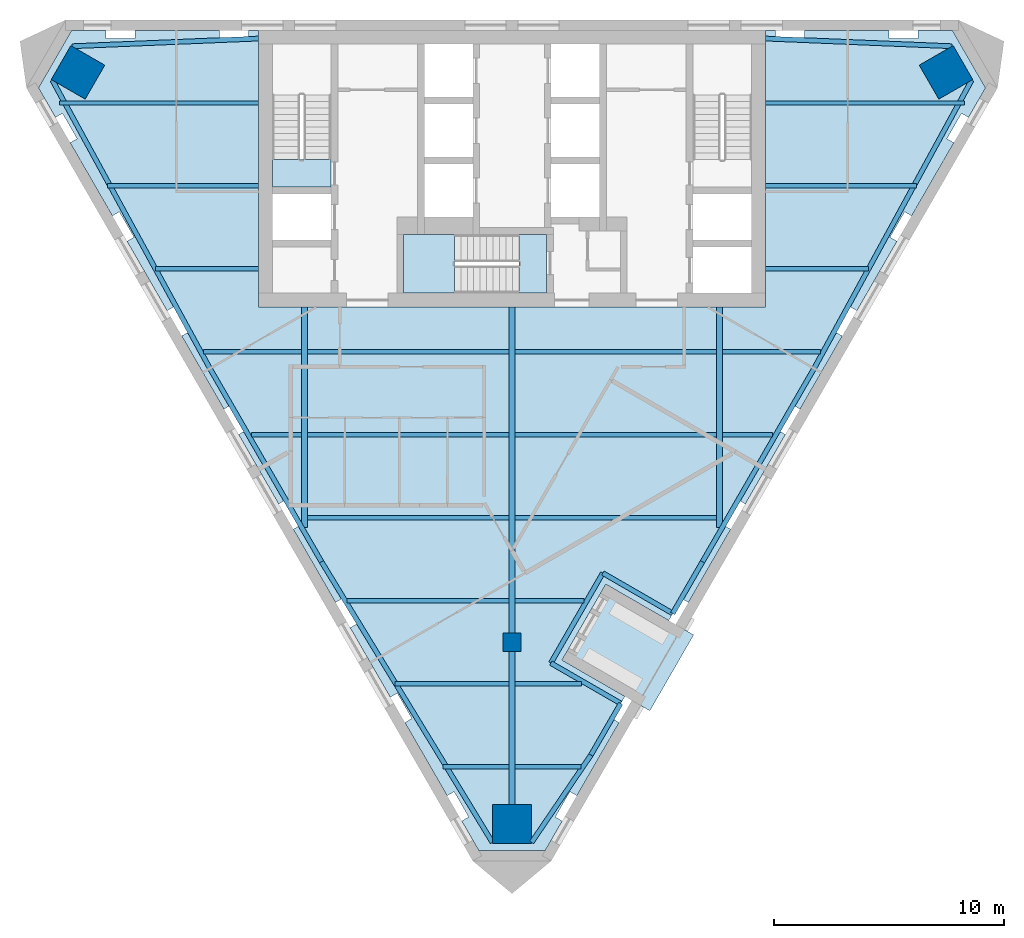
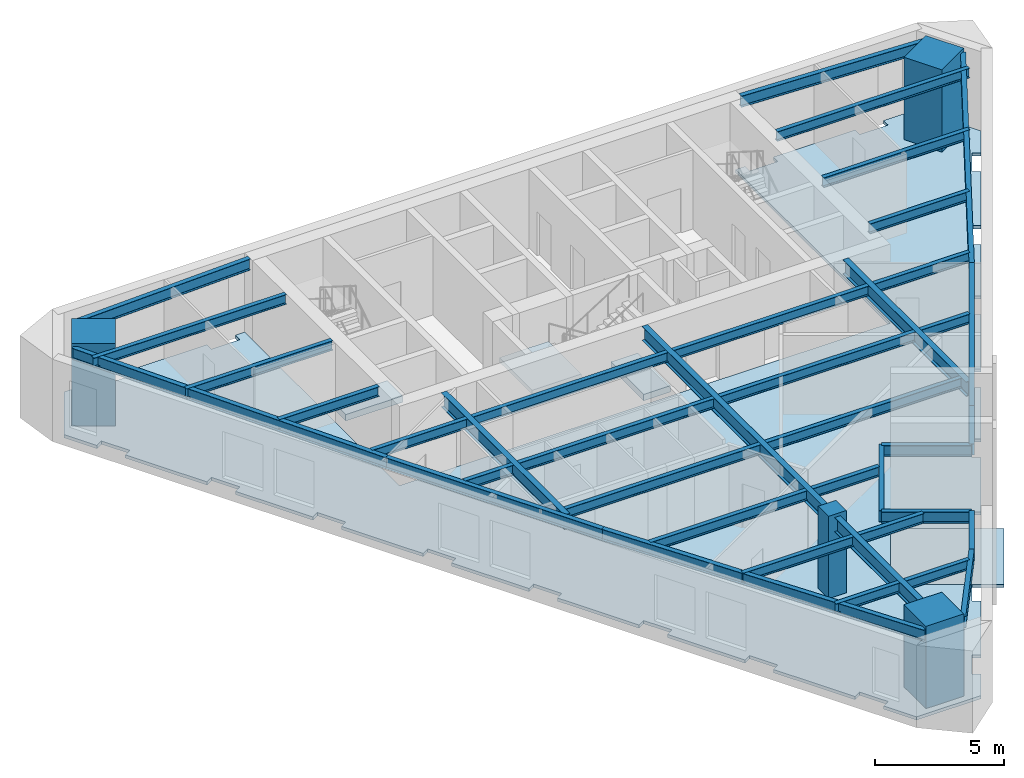
# One storey, part 1 of 7: 39 beams, 5 slabs, 4 columns, 1 element without a shape of its own.
"""IFC4 building model written with IfcOpenShell, lengths in metres."""

from ifc_helpers import new_model, si_unit, direction, frame, origin, origin_2d, place, context, subcontext, project, spatial, polyline, rectangle, i_section, outline, extrude, material, layer, layer_set, material_profile, profile_set, type_object, element, aggregate, save


model = new_model("IFC4")

# Units and contexts
model_context = context("Model", 3, precision=1e-05, world=origin(), true_north=direction((0.0, 1.0)))
body_context = subcontext(model_context, "Body", "Model", "MODEL_VIEW")
ifc_project = project(units=[si_unit("LENGTHUNIT", "METRE"), si_unit("AREAUNIT", "SQUARE_METRE"), si_unit("VOLUMEUNIT", "CUBIC_METRE"), si_unit("PLANEANGLEUNIT", "RADIAN"), si_unit("MASSUNIT", "GRAM", prefix="KILO")], contexts=[model_context])

# Site, building, storey
site_placement = place(None, origin())
site = spatial("IfcSite", under=ifc_project, at=site_placement, CompositionType="ELEMENT")
building_placement = place(site_placement, origin())
building = spatial("IfcBuilding", under=site, at=building_placement, Name="Aloe Facet Convention Tower", CompositionType="ELEMENT")
storey_placement = place(building_placement, frame((0.0, 0.0, 215.300048828125)))
storey = spatial("IfcBuildingStorey", under=building, at=storey_placement, Name="L54", CompositionType="ELEMENT", Elevation=215.300048828125)

# Columns
ifc_material_1 = material(Name="Concrete C70/85", Category="concrete")
ifc_material_profile_1 = material_profile(ifc_material_1, rectangle(XDim=0.800048828125, YDim=0.800048828125, at=origin_2d()), Name="SF-GC-Z4")
ifc_profile_set_1 = profile_set([ifc_material_profile_1], Name="Concrete C70/85")
column_type_1 = type_object("IfcColumnType", Name="SF-GC-Z4", PredefinedType="COLUMN", material=ifc_profile_set_1)
column_placement = place(storey_placement, frame((80.0, 108.0, 0.0), z_axis=(0.0, 0.0, 1.0), x_axis=(1.0, 0.0, 0.0)))
element("IfcColumn", 1, at=column_placement, inside=storey, type_object=column_type_1, Name="Gravity column GC-Z4-9D", PredefinedType="COLUMN", context=body_context, shape_type="SweptSolid", body=[
    extrude(rectangle(XDim=0.800048828125, YDim=0.800048828125, at=origin_2d()), origin(), (0.0, 0.0, 1.0), 3.89990234375),
])
ifc_material_2 = material(Name="Concrete C80/95", Category="concrete")
ifc_material_profile_2 = material_profile(ifc_material_2, rectangle(XDim=1.699951171875, YDim=1.699951171875, at=origin_2d()), Name="STW-MC-Z4")
ifc_profile_set_2 = profile_set([ifc_material_profile_2], Name="Concrete C80/95")
column_type_2 = type_object("IfcColumnType", Name="STW-MC-Z4", PredefinedType="COLUMN", material=ifc_profile_set_2)
for number, where, z_axis, x_axis, name in (
    (2, (98.828857421875, 132.727783203125, 0.0), (0.0, 0.0, 1.0), (-0.5, 0.866025403784, 0.0), "Mega-column MC-NE-L54"),
    (3, (61.171142578125, 132.727783203125, 0.0), (0.0, 0.0, 1.0), (-0.5, -0.866025403784, 0.0), "Mega-column MC-NW-L54"),
    (4, (80.0, 100.114990234375, 0.0), (0.0, 0.0, 1.0), (1.0, 0.0, 0.0), "Mega-column MC-S-L54"),
):
    element("IfcColumn", number, at=place(storey_placement, frame(where, z_axis=z_axis, x_axis=x_axis)), inside=storey, type_object=column_type_2, Name=name, PredefinedType="COLUMN", context=body_context, shape_type="SweptSolid", body=[
        extrude(rectangle(XDim=1.699951171875, YDim=1.699951171875, at=origin_2d()), origin(), (0.0, 0.0, 1.0), 3.89990234375),
    ])

# Beams
ifc_material_3 = material(Name="Steel S355", Category="steel")
ifc_material_profile_3 = material_profile(ifc_material_3, i_section(OverallWidth=0.19140625, OverallDepth=0.4599609375, WebThickness=0.010009765625, FlangeThickness=0.01611328125, FilletRadius=0.01025390625, at=origin_2d()), Name="UB 457x191x82")
ifc_profile_set_3 = profile_set([ifc_material_profile_3], Name="Steel S355")
beam_type_1 = type_object("IfcBeamType", Name="SF-B-UB457x191x82", PredefinedType="BEAM", material=ifc_profile_set_3)
beam_1_placement = place(storey_placement, frame((60.373779296875, 131.39990234375, 3.52001953125), z_axis=(1.0, 0.0, 0.0), x_axis=(0.0, 1.0, 0.0)))
element("IfcBeam", 5, at=beam_1_placement, inside=storey, type_object=beam_type_1, Name="Floor beam FB-Z4H-018", PredefinedType="BEAM", context=body_context, shape_type="SweptSolid", body=[
    extrude(i_section(OverallWidth=0.19140625, OverallDepth=0.4599609375, WebThickness=0.010009765625, FlangeThickness=0.01611328125, FilletRadius=0.01025390625, at=origin_2d()), origin(), (0.0, 0.0, 1.0), 8.626220703125),
])
beam_2_placement = place(storey_placement, frame((62.452392578125, 127.800048828125, 3.52001953125), z_axis=(1.0, 0.0, 0.0), x_axis=(0.0, 1.0, 0.0)))
element("IfcBeam", 6, at=beam_2_placement, inside=storey, type_object=beam_type_1, Name="Floor beam FB-Z4H-019", PredefinedType="BEAM", context=body_context, shape_type="SweptSolid", body=[
    extrude(i_section(OverallWidth=0.19140625, OverallDepth=0.4599609375, WebThickness=0.010009765625, FlangeThickness=0.01611328125, FilletRadius=0.01025390625, at=origin_2d()), origin(), (0.0, 0.0, 1.0), 6.547607421875),
])
beam_3_placement = place(storey_placement, frame((64.53076171875, 124.199951171875, 3.52001953125), z_axis=(1.0, 0.0, 0.0), x_axis=(0.0, 1.0, 0.0)))
element("IfcBeam", 7, at=beam_3_placement, inside=storey, type_object=beam_type_1, Name="Floor beam FB-Z4H-020", PredefinedType="BEAM", context=body_context, shape_type="SweptSolid", body=[
    extrude(i_section(OverallWidth=0.19140625, OverallDepth=0.4599609375, WebThickness=0.010009765625, FlangeThickness=0.01611328125, FilletRadius=0.01025390625, at=origin_2d()), origin(), (0.0, 0.0, 1.0), 4.46923828125),
])
beam_4_placement = place(storey_placement, frame((66.609130859375, 120.60009765625, 3.52001953125), z_axis=(1.0, 0.0, 0.0), x_axis=(0.0, 1.0, 0.0)))
element("IfcBeam", 8, at=beam_4_placement, inside=storey, type_object=beam_type_1, Name="Floor beam FB-Z4H-021", PredefinedType="BEAM", context=body_context, shape_type="SweptSolid", body=[
    extrude(i_section(OverallWidth=0.19140625, OverallDepth=0.4599609375, WebThickness=0.010009765625, FlangeThickness=0.01611328125, FilletRadius=0.01025390625, at=origin_2d()), origin(), (0.0, 0.0, 1.0), 4.264404296875),
])
beam_5_placement = place(storey_placement, frame((68.687744140625, 117.0, 3.52001953125), z_axis=(1.0, 0.0, 0.0), x_axis=(0.0, 1.0, 0.0)))
element("IfcBeam", 9, at=beam_5_placement, inside=storey, type_object=beam_type_1, Name="Floor beam FB-Z4H-022", PredefinedType="BEAM", context=body_context, shape_type="SweptSolid", body=[
    extrude(i_section(OverallWidth=0.19140625, OverallDepth=0.4599609375, WebThickness=0.010009765625, FlangeThickness=0.01611328125, FilletRadius=0.01025390625, at=origin_2d()), origin(), (0.0, 0.0, 1.0), 2.185791015625),
])
for number, where, z_axis, x_axis, name in (
    (10, (71.12646484375, 113.39990234375, 3.52001953125), (1.0, 0.0, 0.0), (0.0, 1.0, 0.0), "Floor beam FB-Z4H-023"),
    (11, (71.12646484375, 117.0, 3.52001953125), (1.0, 0.0, 0.0), (0.0, 1.0, 0.0), "Floor beam FB-Z4H-024"),
    (12, (71.12646484375, 120.60009765625, 3.52001953125), (1.0, 0.0, 0.0), (0.0, 1.0, 0.0), "Floor beam FB-Z4H-025"),
):
    element("IfcBeam", number, at=place(storey_placement, frame(where, z_axis=z_axis, x_axis=x_axis)), inside=storey, type_object=beam_type_1, Name=name, PredefinedType="BEAM", context=body_context, shape_type="SweptSolid", body=[
        extrude(i_section(OverallWidth=0.19140625, OverallDepth=0.4599609375, WebThickness=0.010009765625, FlangeThickness=0.01611328125, FilletRadius=0.01025390625, at=origin_2d()), origin(), (0.0, 0.0, 1.0), 8.7470703125),
    ])
beam_6_placement = place(storey_placement, frame((72.844482421875, 109.800048828125, 3.52001953125), z_axis=(1.0, 0.0, 0.0), x_axis=(0.0, 1.0, 0.0)))
element("IfcBeam", 13, at=beam_6_placement, inside=storey, type_object=beam_type_1, Name="Floor beam FB-Z4H-026", PredefinedType="BEAM", context=body_context, shape_type="SweptSolid", body=[
    extrude(i_section(OverallWidth=0.19140625, OverallDepth=0.4599609375, WebThickness=0.010009765625, FlangeThickness=0.01611328125, FilletRadius=0.01025390625, at=origin_2d()), origin(), (0.0, 0.0, 1.0), 7.029052734375),
])
beam_7_placement = place(storey_placement, frame((74.923095703125, 106.199951171875, 3.52001953125), z_axis=(1.0, 0.0, 0.0), x_axis=(0.0, 1.0, 0.0)))
element("IfcBeam", 14, at=beam_7_placement, inside=storey, type_object=beam_type_1, Name="Floor beam FB-Z4H-027", PredefinedType="BEAM", context=body_context, shape_type="SweptSolid", body=[
    extrude(i_section(OverallWidth=0.19140625, OverallDepth=0.4599609375, WebThickness=0.010009765625, FlangeThickness=0.01611328125, FilletRadius=0.01025390625, at=origin_2d()), origin(), (0.0, 0.0, 1.0), 4.950439453125),
])
for number, where, z_axis, x_axis, name in (
    (15, (77.00146484375, 102.60009765625, 3.52001953125), (1.0, 0.0, 0.0), (0.0, 1.0, 0.0), "Floor beam FB-Z4H-028"),
    (16, (80.12646484375, 102.60009765625, 3.52001953125), (1.0, 0.0, 0.0), (0.0, 1.0, 0.0), "Floor beam FB-Z4H-029"),
):
    element("IfcBeam", number, at=place(storey_placement, frame(where, z_axis=z_axis, x_axis=x_axis)), inside=storey, type_object=beam_type_1, Name=name, PredefinedType="BEAM", context=body_context, shape_type="SweptSolid", body=[
        extrude(i_section(OverallWidth=0.19140625, OverallDepth=0.4599609375, WebThickness=0.010009765625, FlangeThickness=0.01611328125, FilletRadius=0.01025390625, at=origin_2d()), origin(), (0.0, 0.0, 1.0), 2.8720703125),
    ])
beam_8_placement = place(storey_placement, frame((80.12646484375, 106.199951171875, 3.52001953125), z_axis=(1.0, 0.0, 0.0), x_axis=(0.0, 1.0, 0.0)))
element("IfcBeam", 17, at=beam_8_placement, inside=storey, type_object=beam_type_1, Name="Floor beam FB-Z4H-030", PredefinedType="BEAM", context=body_context, shape_type="SweptSolid", body=[
    extrude(i_section(OverallWidth=0.19140625, OverallDepth=0.4599609375, WebThickness=0.010009765625, FlangeThickness=0.01611328125, FilletRadius=0.01025390625, at=origin_2d()), origin(), (0.0, 0.0, 1.0), 2.898681640625),
])
beam_9_placement = place(storey_placement, frame((80.12646484375, 109.800048828125, 3.52001953125), z_axis=(1.0, 0.0, 0.0), x_axis=(0.0, 1.0, 0.0)))
element("IfcBeam", 18, at=beam_9_placement, inside=storey, type_object=beam_type_1, Name="Floor beam FB-Z4H-031", PredefinedType="BEAM", context=body_context, shape_type="SweptSolid", body=[
    extrude(i_section(OverallWidth=0.19140625, OverallDepth=0.4599609375, WebThickness=0.010009765625, FlangeThickness=0.01611328125, FilletRadius=0.01025390625, at=origin_2d()), origin(), (0.0, 0.0, 1.0), 2.987548828125),
])
for number, where, z_axis, x_axis, name in (
    (19, (80.12646484375, 113.39990234375, 3.52001953125), (1.0, 0.0, 0.0), (0.0, 1.0, 0.0), "Floor beam FB-Z4H-032"),
    (20, (80.12646484375, 117.0, 3.52001953125), (1.0, 0.0, 0.0), (0.0, 1.0, 0.0), "Floor beam FB-Z4H-033"),
    (21, (80.12646484375, 120.60009765625, 3.52001953125), (1.0, 0.0, 0.0), (0.0, 1.0, 0.0), "Floor beam FB-Z4H-034"),
):
    element("IfcBeam", number, at=place(storey_placement, frame(where, z_axis=z_axis, x_axis=x_axis)), inside=storey, type_object=beam_type_1, Name=name, PredefinedType="BEAM", context=body_context, shape_type="SweptSolid", body=[
        extrude(i_section(OverallWidth=0.19140625, OverallDepth=0.4599609375, WebThickness=0.010009765625, FlangeThickness=0.01611328125, FilletRadius=0.01025390625, at=origin_2d()), origin(), (0.0, 0.0, 1.0), 8.7470703125),
    ])
beam_10_placement = place(storey_placement, frame((89.12646484375, 117.0, 3.52001953125), z_axis=(1.0, 0.0, 0.0), x_axis=(0.0, 1.0, 0.0)))
element("IfcBeam", 22, at=beam_10_placement, inside=storey, type_object=beam_type_1, Name="Floor beam FB-Z4H-035", PredefinedType="BEAM", context=body_context, shape_type="SweptSolid", body=[
    extrude(i_section(OverallWidth=0.19140625, OverallDepth=0.4599609375, WebThickness=0.010009765625, FlangeThickness=0.01611328125, FilletRadius=0.01025390625, at=origin_2d()), origin(), (0.0, 0.0, 1.0), 2.185791015625),
])
beam_11_placement = place(storey_placement, frame((89.12646484375, 120.60009765625, 3.52001953125), z_axis=(1.0, 0.0, 0.0), x_axis=(0.0, 1.0, 0.0)))
element("IfcBeam", 23, at=beam_11_placement, inside=storey, type_object=beam_type_1, Name="Floor beam FB-Z4H-036", PredefinedType="BEAM", context=body_context, shape_type="SweptSolid", body=[
    extrude(i_section(OverallWidth=0.19140625, OverallDepth=0.4599609375, WebThickness=0.010009765625, FlangeThickness=0.01611328125, FilletRadius=0.01025390625, at=origin_2d()), origin(), (0.0, 0.0, 1.0), 4.264404296875),
])
beam_12_placement = place(storey_placement, frame((91.0, 124.199951171875, 3.52001953125), z_axis=(1.0, 0.0, 0.0), x_axis=(0.0, 1.0, 0.0)))
element("IfcBeam", 24, at=beam_12_placement, inside=storey, type_object=beam_type_1, Name="Floor beam FB-Z4H-037", PredefinedType="BEAM", context=body_context, shape_type="SweptSolid", body=[
    extrude(i_section(OverallWidth=0.19140625, OverallDepth=0.4599609375, WebThickness=0.010009765625, FlangeThickness=0.01611328125, FilletRadius=0.01025390625, at=origin_2d()), origin(), (0.0, 0.0, 1.0), 4.46923828125),
])
beam_13_placement = place(storey_placement, frame((91.0, 127.800048828125, 3.52001953125), z_axis=(1.0, 0.0, 0.0), x_axis=(0.0, 1.0, 0.0)))
element("IfcBeam", 25, at=beam_13_placement, inside=storey, type_object=beam_type_1, Name="Floor beam FB-Z4H-038", PredefinedType="BEAM", context=body_context, shape_type="SweptSolid", body=[
    extrude(i_section(OverallWidth=0.19140625, OverallDepth=0.4599609375, WebThickness=0.010009765625, FlangeThickness=0.01611328125, FilletRadius=0.01025390625, at=origin_2d()), origin(), (0.0, 0.0, 1.0), 6.547607421875),
])
beam_14_placement = place(storey_placement, frame((91.0, 131.39990234375, 3.52001953125), z_axis=(1.0, 0.0, 0.0), x_axis=(0.0, 1.0, 0.0)))
element("IfcBeam", 26, at=beam_14_placement, inside=storey, type_object=beam_type_1, Name="Floor beam FB-Z4H-039", PredefinedType="BEAM", context=body_context, shape_type="SweptSolid", body=[
    extrude(i_section(OverallWidth=0.19140625, OverallDepth=0.4599609375, WebThickness=0.010009765625, FlangeThickness=0.01611328125, FilletRadius=0.01025390625, at=origin_2d()), origin(), (0.0, 0.0, 1.0), 8.626220703125),
])
ifc_material_4 = material(Name="Steel S355", Category="steel")
ifc_material_profile_4 = material_profile(ifc_material_4, i_section(OverallWidth=0.209228515625, OverallDepth=0.533203125, WebThickness=0.010009765625, FlangeThickness=0.015625, FilletRadius=0.0126953125, at=origin_2d()), Name="UB 533x210x92")
ifc_profile_set_4 = profile_set([ifc_material_profile_4], Name="Steel S355")
beam_type_2 = type_object("IfcBeamType", Name="SF-B-UB533x210x92", PredefinedType="BEAM", material=ifc_profile_set_4)
beam_15_placement = place(storey_placement, frame((60.9072265625, 133.861572265625, 3.4833984375), z_axis=(0.999150743543, 0.041204267721, 0.0), x_axis=(-0.041204267721, 0.999150743543, 0.0)))
element("IfcBeam", 27, at=beam_15_placement, inside=storey, type_object=beam_type_2, Name="Floor beam FB-Z4H-001", PredefinedType="BEAM", context=body_context, shape_type="SweptSolid", body=[
    extrude(i_section(OverallWidth=0.209228515625, OverallDepth=0.533203125, WebThickness=0.010009765625, FlangeThickness=0.015625, FilletRadius=0.0126953125, at=origin_2d()), origin(), (0.0, 0.0, 1.0), 8.099609375),
])
beam_16_placement = place(storey_placement, frame((66.89404296875, 119.880126953125, 3.4833984375), z_axis=(-0.479591097698, 0.877492096266, 0.0), x_axis=(-0.877492096266, -0.479591097698, 0.0)))
element("IfcBeam", 28, at=beam_16_placement, inside=storey, type_object=beam_type_2, Name="Floor beam FB-Z4H-002", PredefinedType="BEAM", context=body_context, shape_type="SweptSolid", body=[
    extrude(i_section(OverallWidth=0.209228515625, OverallDepth=0.533203125, WebThickness=0.010009765625, FlangeThickness=0.015625, FilletRadius=0.0126953125, at=origin_2d()), origin(), (0.0, 0.0, 1.0), 14.255615234375),
])
beam_17_placement = place(storey_placement, frame((71.735107421875, 111.4951171875, 3.4833984375), z_axis=(-0.499998203483, 0.866026441002, 0.0), x_axis=(-0.866026441002, -0.499998203483, 0.0)))
element("IfcBeam", 29, at=beam_17_placement, inside=storey, type_object=beam_type_2, Name="Floor beam FB-Z4H-003", PredefinedType="BEAM", context=body_context, shape_type="SweptSolid", body=[
    extrude(i_section(OverallWidth=0.209228515625, OverallDepth=0.533203125, WebThickness=0.010009765625, FlangeThickness=0.015625, FilletRadius=0.0126953125, at=origin_2d()), origin(), (0.0, 0.0, 1.0), 9.68212890625),
])
beam_18_placement = place(storey_placement, frame((79.14990234375, 99.319580078125, 3.4833984375), z_axis=(-0.520131115149, 0.854086425986, 0.0), x_axis=(-0.854086425986, -0.520131115149, 0.0)))
element("IfcBeam", 30, at=beam_18_placement, inside=storey, type_object=beam_type_2, Name="Floor beam FB-Z4H-004", PredefinedType="BEAM", context=body_context, shape_type="SweptSolid", body=[
    extrude(i_section(OverallWidth=0.209228515625, OverallDepth=0.533203125, WebThickness=0.010009765625, FlangeThickness=0.015625, FilletRadius=0.0126953125, at=origin_2d()), origin(), (0.0, 0.0, 1.0), 14.255615234375),
])
beam_19_placement = place(storey_placement, frame((81.685791015625, 107.099853515625, 3.4833984375), z_axis=(0.866036909293, -0.499980071345, 0.0), x_axis=(0.499980071345, 0.866036909293, 0.0)))
element("IfcBeam", 31, at=beam_19_placement, inside=storey, type_object=beam_type_2, Name="Floor beam FB-Z4H-005", PredefinedType="BEAM", context=body_context, shape_type="SweptSolid", body=[
    extrude(i_section(OverallWidth=0.209228515625, OverallDepth=0.533203125, WebThickness=0.010009765625, FlangeThickness=0.015625, FilletRadius=0.0126953125, at=origin_2d()), origin(), (0.0, 0.0, 1.0), 3.500244140625),
])
beam_20_placement = place(storey_placement, frame((83.423583984375, 103.10986328125, 3.4833984375), z_axis=(-0.561726843227, -0.82732276265, 0.0), x_axis=(0.82732276265, -0.561726843227, 0.0)))
element("IfcBeam", 32, at=beam_20_placement, inside=storey, type_object=beam_type_2, Name="Floor beam FB-Z4H-006", PredefinedType="BEAM", context=body_context, shape_type="SweptSolid", body=[
    extrude(i_section(OverallWidth=0.209228515625, OverallDepth=0.533203125, WebThickness=0.010009765625, FlangeThickness=0.015625, FilletRadius=0.0126953125, at=origin_2d()), origin(), (0.0, 0.0, 1.0), 4.581298828125),
])
beam_21_placement = place(storey_placement, frame((83.9404296875, 111.0048828125, 3.4833984375), z_axis=(-0.500011469263, -0.866018781901, 0.0), x_axis=(0.866018781901, -0.500011469263, 0.0)))
element("IfcBeam", 33, at=beam_21_placement, inside=storey, type_object=beam_type_2, Name="Floor beam FB-Z4H-007", PredefinedType="BEAM", context=body_context, shape_type="SweptSolid", body=[
    extrude(i_section(OverallWidth=0.209228515625, OverallDepth=0.533203125, WebThickness=0.010009765625, FlangeThickness=0.015625, FilletRadius=0.0126953125, at=origin_2d()), origin(), (0.0, 0.0, 1.0), 4.50927734375),
])
beam_22_placement = place(storey_placement, frame((84.717041015625, 105.349853515625, 3.4833984375), z_axis=(-0.500057429065, -0.865992244559, 0.0), x_axis=(0.865992244559, -0.500057429065, 0.0)))
element("IfcBeam", 34, at=beam_22_placement, inside=storey, type_object=beam_type_2, Name="Floor beam FB-Z4H-008", PredefinedType="BEAM", context=body_context, shape_type="SweptSolid", body=[
    extrude(i_section(OverallWidth=0.209228515625, OverallDepth=0.533203125, WebThickness=0.010009765625, FlangeThickness=0.015625, FilletRadius=0.0126953125, at=origin_2d()), origin(), (0.0, 0.0, 1.0), 2.586669921875),
])
beam_23_placement = place(storey_placement, frame((86.9716796875, 109.2548828125, 3.4833984375), z_axis=(-0.866036909293, 0.499980071345, 0.0), x_axis=(-0.499980071345, -0.866036909293, 0.0)))
element("IfcBeam", 35, at=beam_23_placement, inside=storey, type_object=beam_type_2, Name="Floor beam FB-Z4H-009", PredefinedType="BEAM", context=body_context, shape_type="SweptSolid", body=[
    extrude(i_section(OverallWidth=0.209228515625, OverallDepth=0.533203125, WebThickness=0.010009765625, FlangeThickness=0.015625, FilletRadius=0.0126953125, at=origin_2d()), origin(), (0.0, 0.0, 1.0), 3.500244140625),
])
beam_24_placement = place(storey_placement, frame((88.264892578125, 111.4951171875, 3.4833984375), z_axis=(-0.499945771132, -0.866056710573, 0.0), x_axis=(0.866056710573, -0.499945771132, 0.0)))
element("IfcBeam", 36, at=beam_24_placement, inside=storey, type_object=beam_type_2, Name="Floor beam FB-Z4H-010", PredefinedType="BEAM", context=body_context, shape_type="SweptSolid", body=[
    extrude(i_section(OverallWidth=0.209228515625, OverallDepth=0.533203125, WebThickness=0.010009765625, FlangeThickness=0.015625, FilletRadius=0.0126953125, at=origin_2d()), origin(), (0.0, 0.0, 1.0), 2.586669921875),
])
beam_25_placement = place(storey_placement, frame((91.0, 134.1953125, 3.4833984375), z_axis=(0.999150743543, -0.041204267721, 0.0), x_axis=(0.041204267721, 0.999150743543, 0.0)))
element("IfcBeam", 37, at=beam_25_placement, inside=storey, type_object=beam_type_2, Name="Floor beam FB-Z4H-011", PredefinedType="BEAM", context=body_context, shape_type="SweptSolid", body=[
    extrude(i_section(OverallWidth=0.209228515625, OverallDepth=0.533203125, WebThickness=0.010009765625, FlangeThickness=0.015625, FilletRadius=0.0126953125, at=origin_2d()), origin(), (0.0, 0.0, 1.0), 8.099609375),
])
beam_26_placement = place(storey_placement, frame((93.10595703125, 119.880126953125, 3.4833984375), z_axis=(-0.499998203483, -0.866026441002, 0.0), x_axis=(0.866026441002, -0.499998203483, 0.0)))
element("IfcBeam", 38, at=beam_26_placement, inside=storey, type_object=beam_type_2, Name="Floor beam FB-Z4H-012", PredefinedType="BEAM", context=body_context, shape_type="SweptSolid", body=[
    extrude(i_section(OverallWidth=0.209228515625, OverallDepth=0.533203125, WebThickness=0.010009765625, FlangeThickness=0.015625, FilletRadius=0.0126953125, at=origin_2d()), origin(), (0.0, 0.0, 1.0), 9.68212890625),
])
beam_27_placement = place(storey_placement, frame((99.94287109375, 132.389404296875, 3.4833984375), z_axis=(-0.479591097698, -0.877492096266, 0.0), x_axis=(0.877492096266, -0.479591097698, 0.0)))
element("IfcBeam", 39, at=beam_27_placement, inside=storey, type_object=beam_type_2, Name="Floor beam FB-Z4H-013", PredefinedType="BEAM", context=body_context, shape_type="SweptSolid", body=[
    extrude(i_section(OverallWidth=0.209228515625, OverallDepth=0.533203125, WebThickness=0.010009765625, FlangeThickness=0.015625, FilletRadius=0.0126953125, at=origin_2d()), origin(), (0.0, 0.0, 1.0), 14.255615234375),
])
ifc_material_5 = material(Name="Steel S355", Category="steel")
ifc_material_profile_5 = material_profile(ifc_material_5, i_section(OverallWidth=0.2529296875, OverallDepth=0.677978515625, WebThickness=0.01171875, FlangeThickness=0.01611328125, FilletRadius=0.01513671875, at=origin_2d()), Name="UB 686x254x125")
ifc_profile_set_5 = profile_set([ifc_material_profile_5], Name="Steel S355")
beam_type_3 = type_object("IfcBeamType", Name="SF-B-UB686x254x125", PredefinedType="BEAM", material=ifc_profile_set_5)
beam_28_placement = place(storey_placement, frame((71.0, 122.550048828125, 3.410888671875), z_axis=(0.0, -1.0, 0.0), x_axis=(1.0, 0.0, 0.0)))
element("IfcBeam", 40, at=beam_28_placement, inside=storey, type_object=beam_type_3, Name="Floor beam FB-Z4H-014", PredefinedType="BEAM", context=body_context, shape_type="SweptSolid", body=[
    extrude(i_section(OverallWidth=0.2529296875, OverallDepth=0.677978515625, WebThickness=0.01171875, FlangeThickness=0.01611328125, FilletRadius=0.01513671875, at=origin_2d()), origin(), (0.0, 0.0, 1.0), 9.5625),
])
beam_29_placement = place(storey_placement, frame((80.0, 107.60009765625, 3.410888671875), z_axis=(0.0, -1.0, 0.0), x_axis=(1.0, 0.0, 0.0)))
element("IfcBeam", 41, at=beam_29_placement, inside=storey, type_object=beam_type_3, Name="Floor beam FB-Z4H-015", PredefinedType="BEAM", context=body_context, shape_type="SweptSolid", body=[
    extrude(i_section(OverallWidth=0.2529296875, OverallDepth=0.677978515625, WebThickness=0.01171875, FlangeThickness=0.01611328125, FilletRadius=0.01513671875, at=origin_2d()), origin(), (0.0, 0.0, 1.0), 8.165771484375),
])
beam_30_placement = place(storey_placement, frame((80.0, 122.550048828125, 3.410888671875), z_axis=(0.0, -1.0, 0.0), x_axis=(1.0, 0.0, 0.0)))
element("IfcBeam", 42, at=beam_30_placement, inside=storey, type_object=beam_type_3, Name="Floor beam FB-Z4H-016", PredefinedType="BEAM", context=body_context, shape_type="SweptSolid", body=[
    extrude(i_section(OverallWidth=0.2529296875, OverallDepth=0.677978515625, WebThickness=0.01171875, FlangeThickness=0.01611328125, FilletRadius=0.01513671875, at=origin_2d()), origin(), (0.0, 0.0, 1.0), 14.150146484375),
])
beam_31_placement = place(storey_placement, frame((89.0, 122.550048828125, 3.410888671875), z_axis=(0.0, -1.0, 0.0), x_axis=(1.0, 0.0, 0.0)))
element("IfcBeam", 43, at=beam_31_placement, inside=storey, type_object=beam_type_3, Name="Floor beam FB-Z4H-017", PredefinedType="BEAM", context=body_context, shape_type="SweptSolid", body=[
    extrude(i_section(OverallWidth=0.2529296875, OverallDepth=0.677978515625, WebThickness=0.01171875, FlangeThickness=0.01611328125, FilletRadius=0.01513671875, at=origin_2d()), origin(), (0.0, 0.0, 1.0), 9.5625),
])

# Slabs
ifc_material_6 = material(Name="Concrete C50/60", Category="concrete")
ifc_layer_1 = layer(ifc_material_6, 0.300048828125)
ifc_layer_set_1 = layer_set([ifc_layer_1], Name="CR-S-FLOOR300-C5060")
slab_type_1 = type_object("IfcSlabType", Name="CR-S-FLOOR300-C5060", PredefinedType="FLOOR", material=ifc_layer_set_1)
slab_1_placement = place(storey_placement, frame((0.0, 0.0, -0.300048828125)))
element("IfcSlab", 44, at=slab_1_placement, inside=storey, type_object=slab_type_1, Name="Stair landing floor L54", PredefinedType="FLOOR", context=body_context, shape_type="SweptSolid", body=[
    extrude(outline(polyline([(72.14990234375, 127.75), (72.14990234375, 128.951171875), (69.60009765625, 128.951171875), (69.60009765625, 127.75), (72.14990234375, 127.75)])), origin(), (0.0, 0.0, 1.0), 0.300048828125),
])
slab_2_placement = place(storey_placement, frame((0.0, 0.0, -0.300048828125)))
element("IfcSlab", 45, at=slab_2_placement, inside=storey, type_object=slab_type_1, Name="Stair landing floor L54", PredefinedType="FLOOR", context=body_context, shape_type="SweptSolid", body=[
    extrude(outline(polyline([(81.5, 125.699951171875), (80.298828125, 125.699951171875), (80.298828125, 123.14990234375), (81.5, 123.14990234375), (81.5, 125.699951171875)])), origin(), (0.0, 0.0, 1.0), 0.300048828125),
])

# Stair, slab
ifc_material_7 = material(Name="Concrete C50/60", Category="concrete")
stair_type = type_object("IfcStairType", Name="CR-ST-22R", PredefinedType="HALF_TURN_STAIR", material=ifc_material_7)
stair_placement = place(storey_placement, origin())
stair = element("IfcStair", 46, at=stair_placement, inside=storey, type_object=stair_type, Name="L54 Protected exit stair ST3", PredefinedType="HALF_TURN_STAIR")
ifc_material_8 = material(Name="Concrete C50/60", Category="concrete")
ifc_layer_2 = layer(ifc_material_8, 0.199951171875)
ifc_layer_set_2 = layer_set([ifc_layer_2], Name="CR-SL-LANDING")
slab_type_2 = type_object("IfcSlabType", Name="CR-SL-LANDING", PredefinedType="LANDING", material=ifc_layer_set_2)
slab_3_placement = place(storey_placement, frame((0.0, 0.0, 1.75)))
slab_3 = element("IfcSlab", 47, at=slab_3_placement, type_object=slab_type_2, Name="ST3 landing 1", PredefinedType="LANDING", context=body_context, shape_type="SweptSolid", body=[
    extrude(outline(polyline([(77.5, 125.699951171875), (75.300048828125, 125.699951171875), (75.300048828125, 123.14990234375), (77.5, 123.14990234375), (77.5, 125.699951171875)])), origin(), (0.0, 0.0, 1.0), 0.199951171875),
])
aggregate(stair, [slab_3])

# Slabs
ifc_material_9 = material(Name="Concrete C35/45", Category="concrete")
ifc_layer_3 = layer(ifc_material_9, 0.14990234375)
ifc_layer_set_3 = layer_set([ifc_layer_3], Name="SF-FS-150")
slab_type_3 = type_object("IfcSlabType", Name="SF-FS-150", PredefinedType="FLOOR", material=ifc_layer_set_3)
slab_4_placement = place(storey_placement, frame((0.0, 0.0, -0.150146484375)))
element("IfcSlab", 48, at=slab_4_placement, inside=storey, type_object=slab_type_3, Name="Floor slab L54-1", PredefinedType="FLOOR", context=body_context, shape_type="SweptSolid", body=[
    extrude(outline(polyline([(78.559814453125, 98.965087890625), (77.8203125, 100.24609375), (78.123291015625, 100.4208984375), (77.48828125, 101.52099609375), (77.185302734375, 101.345947265625), (75.35302734375, 104.519287109375), (75.65625, 104.694091796875), (75.021240234375, 105.794189453125), (74.718017578125, 105.619140625), (72.97900390625, 108.631103515625), (73.2822265625, 108.80615234375), (72.647216796875, 109.906005859375), (72.343994140625, 109.731201171875), (70.511962890625, 112.904296875), (70.81494140625, 113.079345703125), (70.179931640625, 114.17919921875), (69.876953125, 114.004150390625), (68.137939453125, 117.016357421875), (68.44091796875, 117.19140625), (67.805908203125, 118.291259765625), (67.5029296875, 118.1162109375), (65.6708984375, 121.28955078125), (65.973876953125, 121.464599609375), (65.3388671875, 122.564453125), (65.03564453125, 122.389404296875), (63.296630859375, 125.4013671875), (63.599853515625, 125.576416015625), (62.96484375, 126.67626953125), (62.66162109375, 126.501220703125), (60.82958984375, 129.674560546875), (61.1328125, 129.849609375), (60.497802734375, 130.949462890625), (60.194580078125, 130.7744140625), (59.455078125, 132.055419921875), (60.895263671875, 134.550048828125), (62.37451171875, 134.550048828125), (62.37451171875, 134.199951171875), (63.644287109375, 134.199951171875), (63.644287109375, 134.550048828125), (67.30859375, 134.550048828125), (67.30859375, 134.199951171875), (68.57861328125, 134.199951171875), (68.57861328125, 134.550048828125), (69.0, 134.550048828125), (69.0, 128.050048828125), (69.0, 127.14990234375), (69.0, 125.75), (69.0, 124.85009765625), (69.0, 122.550048828125), (71.85009765625, 122.550048828125), (72.75, 122.550048828125), (74.699951171875, 122.550048828125), (75.60009765625, 122.550048828125), (81.199951171875, 122.550048828125), (82.10009765625, 122.550048828125), (84.39990234375, 122.550048828125), (85.300048828125, 122.550048828125), (87.25, 122.550048828125), (88.14990234375, 122.550048828125), (91.0, 122.550048828125), (91.0, 124.85009765625), (91.0, 125.75), (91.0, 127.14990234375), (91.0, 128.050048828125), (91.0, 134.550048828125), (91.42138671875, 134.550048828125), (91.42138671875, 134.199951171875), (92.69140625, 134.199951171875), (92.69140625, 134.550048828125), (96.355712890625, 134.550048828125), (96.355712890625, 134.199951171875), (97.62548828125, 134.199951171875), (97.62548828125, 134.550048828125), (99.104736328125, 134.550048828125), (100.544921875, 132.055419921875), (99.805419921875, 130.7744140625), (99.502197265625, 130.949462890625), (98.8671875, 129.849609375), (99.17041015625, 129.674560546875), (97.33837890625, 126.501220703125), (97.03515625, 126.67626953125), (96.400146484375, 125.576416015625), (96.703369140625, 125.4013671875), (94.96435546875, 122.389404296875), (94.6611328125, 122.564453125), (94.026123046875, 121.464599609375), (94.3291015625, 121.28955078125), (92.4970703125, 118.1162109375), (92.194091796875, 118.291259765625), (91.55908203125, 117.19140625), (91.862060546875, 117.016357421875), (90.123046875, 114.004150390625), (89.820068359375, 114.17919921875), (89.18505859375, 113.079345703125), (89.488037109375, 112.904296875), (87.656005859375, 109.731201171875), (87.352783203125, 109.906005859375), (86.79833984375, 108.945556640625), (84.0703125, 110.5205078125), (82.17041015625, 107.229736328125), (84.898193359375, 105.65478515625), (84.34375, 104.694091796875), (84.64697265625, 104.519287109375), (82.814697265625, 101.345947265625), (82.51171875, 101.52099609375), (81.876708984375, 100.4208984375), (82.1796875, 100.24609375), (81.440185546875, 98.965087890625), (78.559814453125, 98.965087890625)]), holes=[polyline([(80.85009765625, 99.264892578125), (80.85009765625, 100.965087890625), (79.14990234375, 100.965087890625), (79.14990234375, 99.264892578125), (80.85009765625, 99.264892578125)]), polyline([(60.85986328125, 133.888916015625), (60.010009765625, 132.41650390625), (61.482177734375, 131.566650390625), (62.33203125, 133.038818359375), (60.85986328125, 133.888916015625)]), polyline([(80.39990234375, 107.60009765625), (80.39990234375, 108.39990234375), (79.60009765625, 108.39990234375), (79.60009765625, 107.60009765625), (80.39990234375, 107.60009765625)]), polyline([(99.989990234375, 132.41650390625), (99.14013671875, 133.888916015625), (97.66796875, 133.038818359375), (98.517822265625, 131.566650390625), (99.989990234375, 132.41650390625)])]), origin(), (0.0, 0.0, 1.0), 0.150146484375),
])
ifc_material_10 = material(Name="Concrete C35/45", Category="concrete")
ifc_layer_4 = layer(ifc_material_10, 0.14990234375)
ifc_layer_set_4 = layer_set([ifc_layer_4], Name="SF-TS-150")
slab_type_4 = type_object("IfcSlabType", Name="SF-TS-150", PredefinedType="FLOOR", material=ifc_layer_set_4)
slab_5_placement = place(storey_placement, frame((0.0, 0.0, -0.150146484375)))
element("IfcSlab", 49, at=slab_5_placement, inside=storey, type_object=slab_type_4, Name="Terrace slab T12", PredefinedType="FLOOR", context=body_context, shape_type="SweptSolid", body=[
    extrude(outline(polyline([(85.98095703125, 105.02978515625), (82.17041015625, 107.229736328125), (84.0703125, 110.5205078125), (87.880859375, 108.320556640625), (85.98095703125, 105.02978515625)])), origin(), (0.0, 0.0, 1.0), 0.150146484375),
])

save(model, "model.ifc")
